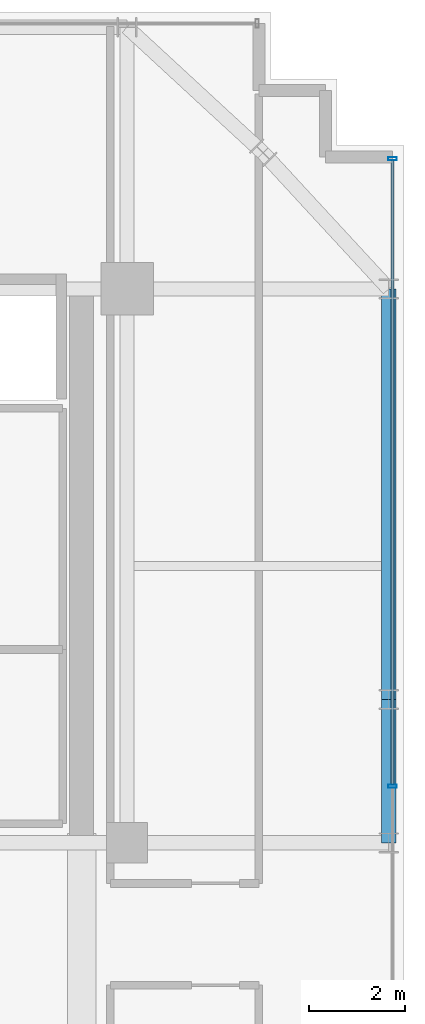
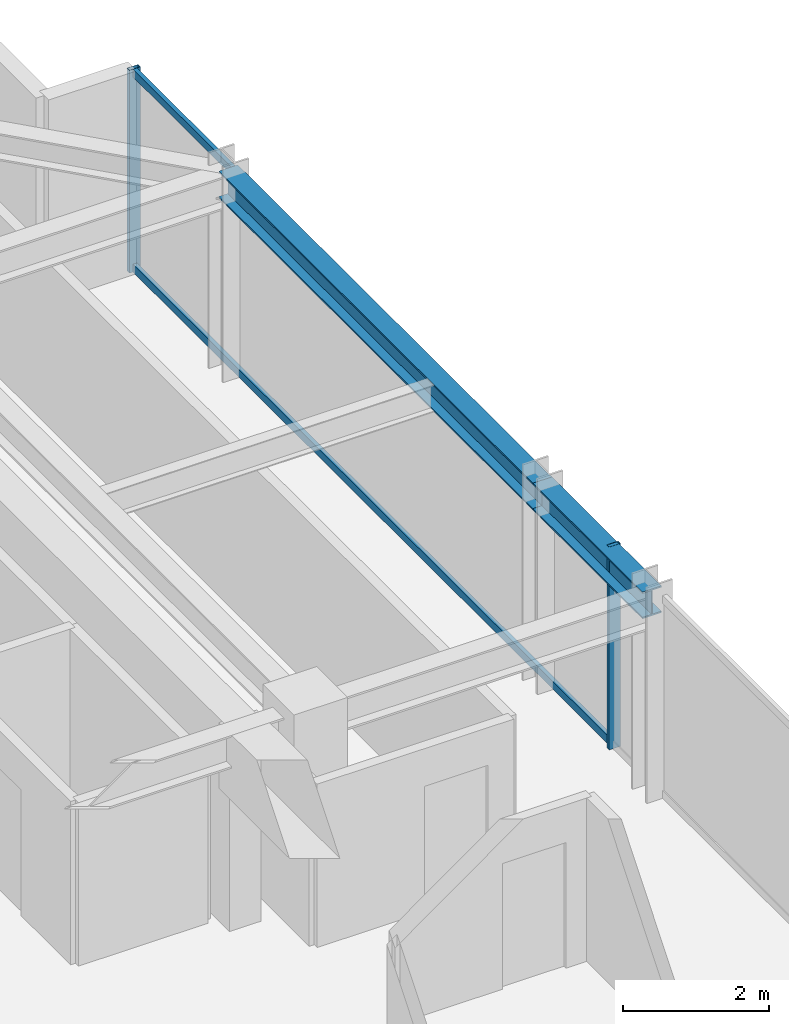
# One storey, part 22 of 31: 4 members, 2 beams, 1 element without a shape of its own.
"""IFC4 building model written with IfcOpenShell, lengths in metres."""

from ifc_helpers import new_model, si_unit, direction, frame, origin, origin_2d, place, context, subcontext, project, spatial, hollow_rectangle, i_section, extrude, source, transform, mapped, material, material_profile, profile_set, type_object, element, aggregate, save


model = new_model("IFC4")

# Units and contexts
model_context = context("Model", 3, precision=1e-05, world=origin(), true_north=direction((0.0, 1.0)))
body_context = subcontext(model_context, "Body", "Model", "MODEL_VIEW")
ifc_project = project(units=[si_unit("LENGTHUNIT", "METRE"), si_unit("AREAUNIT", "SQUARE_METRE"), si_unit("VOLUMEUNIT", "CUBIC_METRE"), si_unit("PLANEANGLEUNIT", "RADIAN"), si_unit("MASSUNIT", "GRAM", prefix="KILO")], contexts=[model_context])

# Site, building, storey
site_placement = place(None, origin())
site = spatial("IfcSite", under=ifc_project, at=site_placement, CompositionType="ELEMENT")
building_placement = place(site_placement, origin())
building = spatial("IfcBuilding", under=site, at=building_placement, Name="Nahalor Promenade Grand Hotel", CompositionType="ELEMENT")
storey_placement = place(building_placement, frame((0.0, 0.0, 156.300048828125)))
storey = spatial("IfcBuildingStorey", under=building, at=storey_placement, Name="L39", CompositionType="ELEMENT", Elevation=156.300048828125)

# Beams
ifc_material_1 = material(Name="Steel S355JR", Category="steel")
ifc_material_profile_1 = material_profile(ifc_material_1, i_section(OverallWidth=0.3, OverallDepth=0.45, WebThickness=0.014, FlangeThickness=0.026, at=origin_2d()), Name="HEB 450")
ifc_profile_set_1 = profile_set([ifc_material_profile_1], Name="Steel S355JR")
beam_type = type_object("IfcBeamType", Name="Beam-Spandrel-HEB450", PredefinedType="SPANDREL", material=ifc_profile_set_1)
shared_shape_1 = source(origin(), body_context, "Body", "SweptSolid", [
    extrude(i_section(OverallWidth=0.3, OverallDepth=0.45, WebThickness=0.014, FlangeThickness=0.026, at=origin_2d()), origin(), (0.0, 0.0, 1.0), 8.60009765625),
])
beam_1_placement = place(storey_placement, frame((22.47998046875, 8.39990234375, 3.1650390625), z_axis=(0.0, 1.0, 0.0), x_axis=(-1.0, 0.0, 0.0)))
element("IfcBeam", 1, at=beam_1_placement, inside=storey, type_object=beam_type, Name="BM-L39-SP-E-4", PredefinedType="SPANDREL", context=body_context, shape_type="MappedRepresentation", body=[
    mapped(shared_shape_1, transform((0.0, 0.0, 0.0), scale=1.0)),
])
shared_shape_2 = source(origin(), body_context, "Body", "SweptSolid", [
    extrude(i_section(OverallWidth=0.3, OverallDepth=0.45, WebThickness=0.014, FlangeThickness=0.026, at=origin_2d()), origin(), (0.0, 0.0, 1.0), 3.0),
])
beam_2_placement = place(storey_placement, frame((22.47998046875, 5.39990234375, 3.1650390625), z_axis=(0.0, 1.0, 0.0), x_axis=(-1.0, 0.0, 0.0)))
element("IfcBeam", 2, at=beam_2_placement, inside=storey, type_object=beam_type, Name="BM-L39-SP-E-3", PredefinedType="SPANDREL", context=body_context, shape_type="MappedRepresentation", body=[
    mapped(shared_shape_2, transform((0.0, 0.0, 0.0), scale=1.0)),
])

# Curtain wall, members
ifc_material_2 = material(Name="Anodised Bronze Aluminium EN AW-6063 T6", Category="aluminium")
curtain_wall_type = type_object("IfcCurtainWallType", Name="CW2 Typical Hotel Flush Bronze Unitised Curtain Wall", PredefinedType="USERDEFINED", material=ifc_material_2)
curtain_wall_placement = place(storey_placement, origin())
curtain_wall = element("IfcCurtainWall", 3, at=curtain_wall_placement, inside=storey, type_object=curtain_wall_type, Name="L39 Curtain Wall CW-L39-E-1", ObjectType="UNITISED_CURTAIN_WALL", PredefinedType="USERDEFINED")
ifc_material_profile_2 = material_profile(ifc_material_2, hollow_rectangle(XDim=0.065, YDim=0.18, WallThickness=0.004, at=origin_2d()), Name="CWM 65x180x4")
ifc_profile_set_2 = profile_set([ifc_material_profile_2], Name="Anodised Bronze Aluminium EN AW-6063 T6")
member_type_1 = type_object("IfcMemberType", Name="CWM2 Typical Bronze Mullion 65x180", PredefinedType="MULLION", material=ifc_profile_set_2)
shared_shape_3 = source(origin(), body_context, "Body", "SweptSolid", [
    extrude(hollow_rectangle(XDim=0.065, YDim=0.18, WallThickness=0.004, at=origin_2d()), origin(), (0.0, 0.0, 1.0), 3.389892578125),
])
member_1_placement = place(storey_placement, frame((22.56005859375, 6.586669921875, 0.0), z_axis=(0.0, 0.0, 1.0), x_axis=(0.0, 1.0, 0.0)))
member_1 = element("IfcMember", 4, at=member_1_placement, type_object=member_type_1, Name="CW-L39-E-1 Mullion 2", PredefinedType="MULLION", context=body_context, shape_type="MappedRepresentation", body=[
    mapped(shared_shape_3, transform((0.0, 0.0, 0.0), scale=1.0)),
])
member_2_placement = place(storey_placement, frame((22.56005859375, 19.7275390625, 0.0), z_axis=(0.0, 0.0, 1.0), x_axis=(0.0, 1.0, 0.0)))
member_2 = element("IfcMember", 5, at=member_2_placement, type_object=member_type_1, Name="CW-L39-E-1 Mullion 3", PredefinedType="MULLION", context=body_context, shape_type="MappedRepresentation", body=[
    mapped(shared_shape_3, transform((0.0, 0.0, 0.0), scale=1.0)),
])
ifc_material_profile_3 = material_profile(ifc_material_2, hollow_rectangle(XDim=0.065, YDim=0.13, WallThickness=0.004, at=origin_2d()), Name="CWT 65x130x4")
ifc_profile_set_3 = profile_set([ifc_material_profile_3], Name="Anodised Bronze Aluminium EN AW-6063 T6")
member_type_2 = type_object("IfcMemberType", Name="CWT2 Typical Bronze Transom 65x130", PredefinedType="USERDEFINED", material=ifc_profile_set_3)
shared_shape_4 = source(origin(), body_context, "Body", "SweptSolid", [
    extrude(hollow_rectangle(XDim=0.065, YDim=0.13, WallThickness=0.004, at=origin_2d()), origin(), (0.0, 0.0, 1.0), 13.075927734375),
])
member_3_placement = place(storey_placement, frame((22.56005859375, 6.619140625, 0.06494140625), z_axis=(0.0, 1.0, 0.0), x_axis=(-1.0, 0.0, 0.0)))
member_3 = element("IfcMember", 6, at=member_3_placement, type_object=member_type_2, Name="CW-L39-E-1 Transom 2-0", ObjectType="TRANSOM", PredefinedType="USERDEFINED", context=body_context, shape_type="MappedRepresentation", body=[
    mapped(shared_shape_4, transform((0.0, 0.0, 0.0), scale=1.0)),
])
member_4_placement = place(storey_placement, frame((22.56005859375, 6.619140625, 3.324951171875), z_axis=(0.0, 1.0, 0.0), x_axis=(-1.0, 0.0, 0.0)))
member_4 = element("IfcMember", 7, at=member_4_placement, type_object=member_type_2, Name="CW-L39-E-1 Transom 2-1", ObjectType="TRANSOM", PredefinedType="USERDEFINED", context=body_context, shape_type="MappedRepresentation", body=[
    mapped(shared_shape_4, transform((0.0, 0.0, 0.0), scale=1.0)),
])
aggregate(curtain_wall, [member_1, member_2, member_3, member_4])

save(model, "model.ifc")
